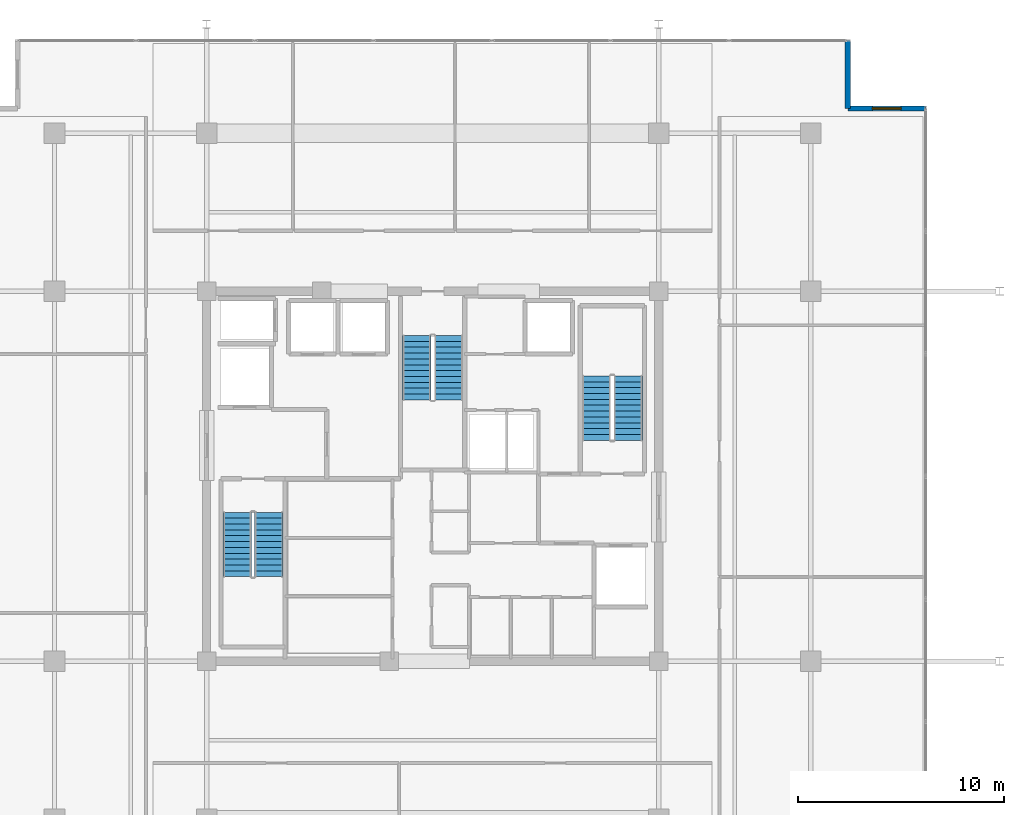
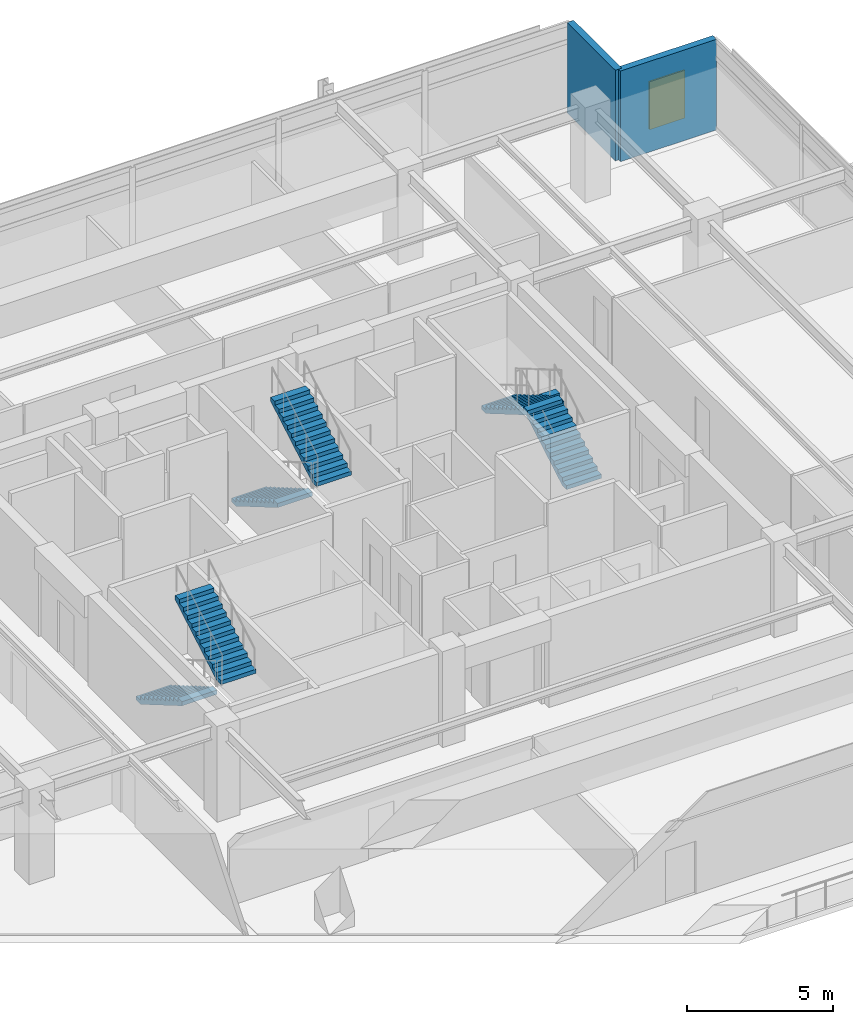
# One storey, part 16 of 20: 6 stair flights, 2 walls, 1 window, 1 opening, 3 elements without a shape of their own.
"""IFC4 building model written with IfcOpenShell, lengths in metres."""

from ifc_helpers import new_model, si_unit, direction, frame, frame_2d, origin, place, context, subcontext, project, spatial, polyline, rectangle, outline, extrude, material, layer, layer_set, type_object, element, fill, aggregate, save


model = new_model("IFC4")

# Units and contexts
model_context = context("Model", 3, precision=1e-05, world=origin(), true_north=direction((0.0, 1.0)))
body_context = subcontext(model_context, "Body", "Model", "MODEL_VIEW")
ifc_project = project(units=[si_unit("LENGTHUNIT", "METRE"), si_unit("AREAUNIT", "SQUARE_METRE"), si_unit("VOLUMEUNIT", "CUBIC_METRE"), si_unit("PLANEANGLEUNIT", "RADIAN"), si_unit("MASSUNIT", "GRAM", prefix="KILO")], contexts=[model_context])

# Site, building, storey
site_placement = place(None, origin())
site = spatial("IfcSite", under=ifc_project, at=site_placement, CompositionType="ELEMENT")
building_placement = place(site_placement, origin())
building = spatial("IfcBuilding", under=site, at=building_placement, Name="Kovane Verandah Tower", CompositionType="ELEMENT")
storey_placement = place(building_placement, frame((0.0, 0.0, 306.800048828125)))
storey = spatial("IfcBuildingStorey", under=building, at=storey_placement, Name="L71", CompositionType="ELEMENT", Elevation=306.800048828125)

# Wall, opening, window
ifc_material_1 = material(Name="Concrete C45/55 Insulated Spandrel Wall", Category="concrete")
ifc_layer = layer(ifc_material_1, 0.260009765625)
ifc_layer_set = layer_set([ifc_layer], Name="Concrete C45/55 Insulated Spandrel Wall")
wall_type = type_object("IfcWallType", Name="WL-SPANDREL-260", PredefinedType="PARAPET", material=ifc_layer_set)
wall_1_placement = place(storey_placement, frame((64.0, 45.39990234375, 0.0), z_axis=(0.0, 0.0, 1.0), x_axis=(-1.0, 0.0, 0.0)))
wall_1 = element("IfcWall", 1, at=wall_1_placement, inside=storey, type_object=wall_type, Name="L71 NE Notch Cheek Wall 1", PredefinedType="PARAPET", context=body_context, shape_type="SweptSolid", body=[
    extrude(rectangle(XDim=3.800048828125, YDim=0.260009765625, at=frame_2d((1.89990234375, 0.0))), origin(), (0.0, 0.0, 1.0), 3.784912109375),
])
opening_placement = place(wall_1_placement, frame((1.199951171875, 0.0, 0.85009765625)))
opening = element("IfcOpeningElement", 2, at=opening_placement, cuts=wall_1, Name="Opening W-01", PredefinedType="OPENING", context=body_context, shape_type="SweptSolid", body=[
    extrude(rectangle(XDim=1.39990234375, YDim=2.0, at=frame_2d((0.699951171875, 1.0))), frame((0.0, 0.1298828125, 0.0), z_axis=(0.0, -1.0, 0.0), x_axis=(1.0, 0.0, 0.0)), (0.0, 0.0, 1.0), 0.260009765625),
])
ifc_material_2 = material(Name="Clear Low-E Laminated Double Glazing in Anodised Frame", Category="glass")
window_type = type_object("IfcWindowType", Name="WN-OPER-1400x2000", PartitioningType="SINGLE_PANEL", PredefinedType="WINDOW", material=ifc_material_2)
window_placement = place(opening_placement, origin())
window = element("IfcWindow", 3, at=window_placement, inside=storey, type_object=window_type, Name="L71 NE Re-Entrant Corner Operable Window", OverallHeight=2.0, OverallWidth=1.39990234375, PartitioningType="SINGLE_PANEL", PredefinedType="WINDOW", context=body_context, shape_type="SweptSolid", body=[
    extrude(rectangle(XDim=1.39990234375, YDim=2.0, at=frame_2d((0.699951171875, 1.0))), frame((0.0, 0.030029296875, 0.0), z_axis=(0.0, -1.0, 0.0), x_axis=(1.0, 0.0, 0.0)), (0.0, 0.0, 1.0), 0.06005859375),
])
fill(opening, window)

# Wall
wall_2_placement = place(storey_placement, frame((60.199951171875, 45.39990234375, 0.0), z_axis=(0.0, 0.0, 1.0), x_axis=(0.0, 1.0, 0.0)))
element("IfcWall", 4, at=wall_2_placement, inside=storey, type_object=wall_type, Name="L71 NE Notch Cheek Wall 2", PredefinedType="PARAPET", context=body_context, shape_type="SweptSolid", body=[
    extrude(rectangle(XDim=3.300048828125, YDim=0.260009765625, at=frame_2d((1.64990234375, 0.0))), origin(), (0.0, 0.0, 1.0), 3.784912109375),
])

# Stair, stair flights
ifc_material_3 = material(Name="Concrete C45/55", Category="concrete")
stair_type = type_object("IfcStairType", Name="ST-CORE-1380", PredefinedType="HALF_TURN_STAIR", material=ifc_material_3)
stair_1_placement = place(storey_placement, origin())
stair_1 = element("IfcStair", 5, at=stair_1_placement, inside=storey, type_object=stair_type, Name="L71 Exit Stair ST-01", PredefinedType="HALF_TURN_STAIR")
stair_flight_type = type_object("IfcStairFlightType", Name="STF-CORE-1380", PredefinedType="STRAIGHT", material=ifc_material_3)
stair_flight_1_placement = place(storey_placement, frame((30.489990234375, 25.75, 0.0), z_axis=(0.0, 0.0, 1.0), x_axis=(0.0, -1.0, 0.0)))
stair_flight_1 = element("IfcStairFlight", 6, at=stair_flight_1_placement, type_object=stair_flight_type, Name="ST-01 flight 1", NumberOfRisers=12, NumberOfTreads=11, PredefinedType="STRAIGHT", RiserHeight=0.166666667, TreadLength=0.285, context=body_context, shape_type="SweptSolid", body=[
    extrude(outline(polyline([(0.0, 0.0), (0.0, 0.166748046875), (0.284912109375, 0.166748046875), (0.284912109375, 0.333251953125), (0.570068359375, 0.333251953125), (0.570068359375, 0.5), (0.85498046875, 0.5), (0.85498046875, 0.666748046875), (1.139892578125, 0.666748046875), (1.139892578125, 0.833251953125), (1.425048828125, 0.833251953125), (1.425048828125, 1.0), (1.7099609375, 1.0), (1.7099609375, 1.166748046875), (1.9951171875, 1.166748046875), (1.9951171875, 1.333251953125), (2.280029296875, 1.333251953125), (2.280029296875, 1.5), (2.56494140625, 1.5), (2.56494140625, 1.666748046875), (2.85009765625, 1.666748046875), (2.85009765625, 1.833251953125), (3.135009765625, 1.833251953125), (3.135009765625, 2.0), (3.135009765625, 1.65966796875), (0.296875, 0.0), (0.0, 0.0)])), frame((0.0, 0.68994140625, 0.0), z_axis=(0.0, -1.0, 0.0), x_axis=(1.0, 0.0, 0.0)), (0.0, 0.0, 1.0), 1.3798828125),
])
stair_flight_2_placement = place(storey_placement, frame((32.030029296875, 22.614990234375, 2.0), z_axis=(0.0, 0.0, 1.0), x_axis=(0.0, 1.0, 0.0)))
stair_flight_2 = element("IfcStairFlight", 7, at=stair_flight_2_placement, type_object=stair_flight_type, Name="ST-01 flight 2", NumberOfRisers=12, NumberOfTreads=11, PredefinedType="STRAIGHT", RiserHeight=0.166666667, TreadLength=0.285, context=body_context, shape_type="SweptSolid", body=[
    extrude(outline(polyline([(0.0, 0.0), (0.0, 0.166748046875), (0.284912109375, 0.166748046875), (0.284912109375, 0.333251953125), (0.570068359375, 0.333251953125), (0.570068359375, 0.5), (0.85498046875, 0.5), (0.85498046875, 0.666748046875), (1.139892578125, 0.666748046875), (1.139892578125, 0.833251953125), (1.425048828125, 0.833251953125), (1.425048828125, 1.0), (1.7099609375, 1.0), (1.7099609375, 1.166748046875), (1.9951171875, 1.166748046875), (1.9951171875, 1.333251953125), (2.280029296875, 1.333251953125), (2.280029296875, 1.5), (2.56494140625, 1.5), (2.56494140625, 1.666748046875), (2.85009765625, 1.666748046875), (2.85009765625, 1.833251953125), (3.135009765625, 1.833251953125), (3.135009765625, 2.0), (3.135009765625, 1.65966796875), (0.296875, 0.0), (0.0, 0.0)])), frame((0.0, 0.68994140625, 0.0), z_axis=(0.0, -1.0, 0.0), x_axis=(1.0, 0.0, 0.0)), (0.0, 0.0, 1.0), 1.3798828125),
])
aggregate(stair_1, [stair_flight_1, stair_flight_2])

stair_2_placement = place(storey_placement, origin())
stair_2 = element("IfcStair", 8, at=stair_2_placement, inside=storey, type_object=stair_type, Name="L71 Exit Stair ST-02", PredefinedType="HALF_TURN_STAIR")
stair_flight_3_placement = place(storey_placement, frame((49.510009765625, 29.25, 0.0), z_axis=(0.0, 0.0, 1.0), x_axis=(0.0, 1.0, 0.0)))
stair_flight_3 = element("IfcStairFlight", 9, at=stair_flight_3_placement, type_object=stair_flight_type, Name="ST-02 flight 1", NumberOfRisers=12, NumberOfTreads=11, PredefinedType="STRAIGHT", RiserHeight=0.166666667, TreadLength=0.285, context=body_context, shape_type="SweptSolid", body=[
    extrude(outline(polyline([(0.0, 0.0), (0.0, 0.166748046875), (0.284912109375, 0.166748046875), (0.284912109375, 0.333251953125), (0.570068359375, 0.333251953125), (0.570068359375, 0.5), (0.85498046875, 0.5), (0.85498046875, 0.666748046875), (1.139892578125, 0.666748046875), (1.139892578125, 0.833251953125), (1.425048828125, 0.833251953125), (1.425048828125, 1.0), (1.7099609375, 1.0), (1.7099609375, 1.166748046875), (1.9951171875, 1.166748046875), (1.9951171875, 1.333251953125), (2.280029296875, 1.333251953125), (2.280029296875, 1.5), (2.56494140625, 1.5), (2.56494140625, 1.666748046875), (2.85009765625, 1.666748046875), (2.85009765625, 1.833251953125), (3.135009765625, 1.833251953125), (3.135009765625, 2.0), (3.135009765625, 1.65966796875), (0.296875, 0.0), (0.0, 0.0)])), frame((0.0, 0.68994140625, 0.0), z_axis=(0.0, -1.0, 0.0), x_axis=(1.0, 0.0, 0.0)), (0.0, 0.0, 1.0), 1.3798828125),
])
stair_flight_4_placement = place(storey_placement, frame((47.969970703125, 32.385009765625, 2.0), z_axis=(0.0, 0.0, 1.0), x_axis=(0.0, -1.0, 0.0)))
stair_flight_4 = element("IfcStairFlight", 10, at=stair_flight_4_placement, type_object=stair_flight_type, Name="ST-02 flight 2", NumberOfRisers=12, NumberOfTreads=11, PredefinedType="STRAIGHT", RiserHeight=0.166666667, TreadLength=0.285, context=body_context, shape_type="SweptSolid", body=[
    extrude(outline(polyline([(0.0, 0.0), (0.0, 0.166748046875), (0.284912109375, 0.166748046875), (0.284912109375, 0.333251953125), (0.570068359375, 0.333251953125), (0.570068359375, 0.5), (0.85498046875, 0.5), (0.85498046875, 0.666748046875), (1.139892578125, 0.666748046875), (1.139892578125, 0.833251953125), (1.425048828125, 0.833251953125), (1.425048828125, 1.0), (1.7099609375, 1.0), (1.7099609375, 1.166748046875), (1.9951171875, 1.166748046875), (1.9951171875, 1.333251953125), (2.280029296875, 1.333251953125), (2.280029296875, 1.5), (2.56494140625, 1.5), (2.56494140625, 1.666748046875), (2.85009765625, 1.666748046875), (2.85009765625, 1.833251953125), (3.135009765625, 1.833251953125), (3.135009765625, 2.0), (3.135009765625, 1.65966796875), (0.296875, 0.0), (0.0, 0.0)])), frame((0.0, 0.68994140625, 0.0), z_axis=(0.0, -1.0, 0.0), x_axis=(1.0, 0.0, 0.0)), (0.0, 0.0, 1.0), 1.3798828125),
])
aggregate(stair_2, [stair_flight_3, stair_flight_4])

stair_3_placement = place(storey_placement, origin())
stair_3 = element("IfcStair", 11, at=stair_3_placement, inside=storey, type_object=stair_type, Name="L71 Exit Stair ST-03", PredefinedType="HALF_TURN_STAIR")
stair_flight_5_placement = place(storey_placement, frame((39.22998046875, 34.35009765625, 0.0), z_axis=(0.0, 0.0, 1.0), x_axis=(0.0, -1.0, 0.0)))
stair_flight_5 = element("IfcStairFlight", 12, at=stair_flight_5_placement, type_object=stair_flight_type, Name="ST-03 flight 1", NumberOfRisers=12, NumberOfTreads=11, PredefinedType="STRAIGHT", RiserHeight=0.166666667, TreadLength=0.285, context=body_context, shape_type="SweptSolid", body=[
    extrude(outline(polyline([(0.0, 0.0), (0.0, 0.166748046875), (0.284912109375, 0.166748046875), (0.284912109375, 0.333251953125), (0.570068359375, 0.333251953125), (0.570068359375, 0.5), (0.85498046875, 0.5), (0.85498046875, 0.666748046875), (1.139892578125, 0.666748046875), (1.139892578125, 0.833251953125), (1.425048828125, 0.833251953125), (1.425048828125, 1.0), (1.7099609375, 1.0), (1.7099609375, 1.166748046875), (1.9951171875, 1.166748046875), (1.9951171875, 1.333251953125), (2.280029296875, 1.333251953125), (2.280029296875, 1.5), (2.56494140625, 1.5), (2.56494140625, 1.666748046875), (2.85009765625, 1.666748046875), (2.85009765625, 1.833251953125), (3.135009765625, 1.833251953125), (3.135009765625, 2.0), (3.135009765625, 1.65966796875), (0.296875, 0.0), (0.0, 0.0)])), frame((0.0, 0.68994140625, 0.0), z_axis=(0.0, -1.0, 0.0), x_axis=(1.0, 0.0, 0.0)), (0.0, 0.0, 1.0), 1.3798828125),
])
stair_flight_6_placement = place(storey_placement, frame((40.77001953125, 31.215087890625, 2.0), z_axis=(0.0, 0.0, 1.0), x_axis=(0.0, 1.0, 0.0)))
stair_flight_6 = element("IfcStairFlight", 13, at=stair_flight_6_placement, type_object=stair_flight_type, Name="ST-03 flight 2", NumberOfRisers=12, NumberOfTreads=11, PredefinedType="STRAIGHT", RiserHeight=0.166666667, TreadLength=0.285, context=body_context, shape_type="SweptSolid", body=[
    extrude(outline(polyline([(0.0, 0.0), (0.0, 0.166748046875), (0.284912109375, 0.166748046875), (0.284912109375, 0.333251953125), (0.570068359375, 0.333251953125), (0.570068359375, 0.5), (0.85498046875, 0.5), (0.85498046875, 0.666748046875), (1.139892578125, 0.666748046875), (1.139892578125, 0.833251953125), (1.425048828125, 0.833251953125), (1.425048828125, 1.0), (1.7099609375, 1.0), (1.7099609375, 1.166748046875), (1.9951171875, 1.166748046875), (1.9951171875, 1.333251953125), (2.280029296875, 1.333251953125), (2.280029296875, 1.5), (2.56494140625, 1.5), (2.56494140625, 1.666748046875), (2.85009765625, 1.666748046875), (2.85009765625, 1.833251953125), (3.135009765625, 1.833251953125), (3.135009765625, 2.0), (3.135009765625, 1.65966796875), (0.296875, 0.0), (0.0, 0.0)])), frame((0.0, 0.68994140625, 0.0), z_axis=(0.0, -1.0, 0.0), x_axis=(1.0, 0.0, 0.0)), (0.0, 0.0, 1.0), 1.3798828125),
])
aggregate(stair_3, [stair_flight_5, stair_flight_6])

save(model, "model.ifc")
